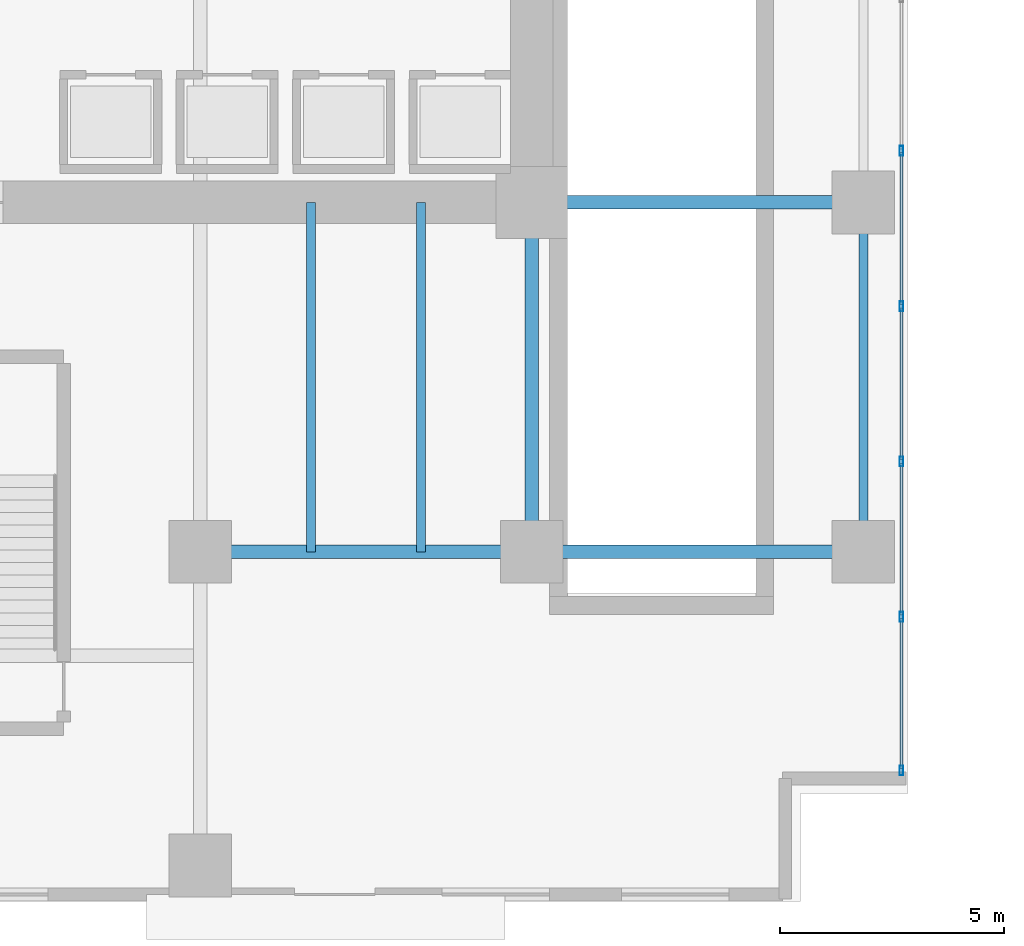
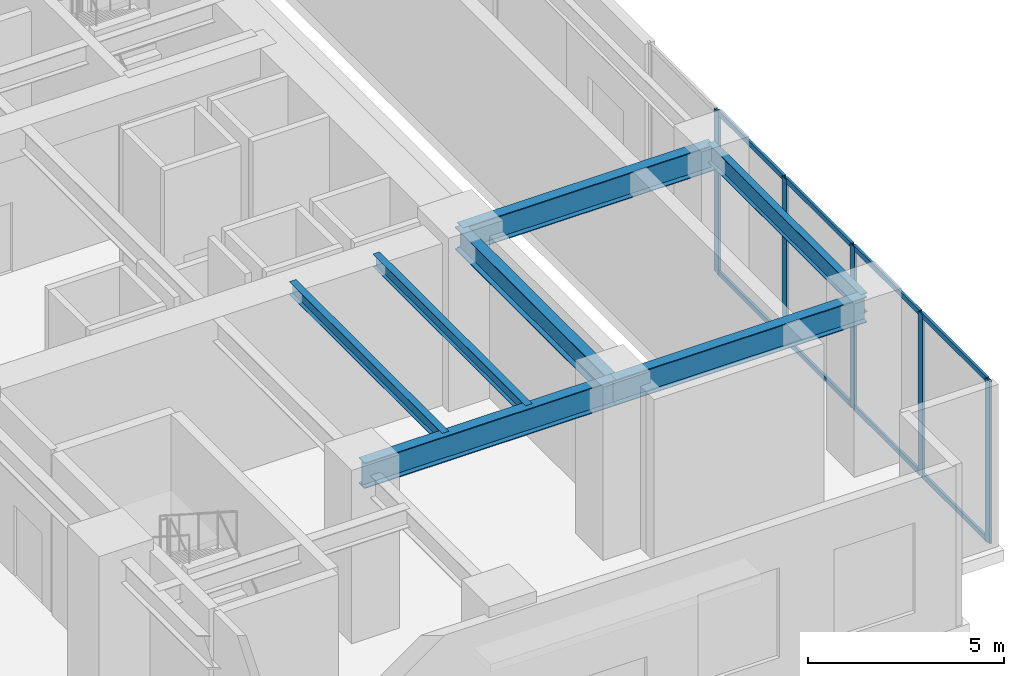
# One storey, part 14 of 28: 13 members, 7 beams, 1 element without a shape of its own.
"""IFC4 building model written with IfcOpenShell, lengths in metres."""

import ifcopenshell
import ifcopenshell.guid

model = None  # the IFC model being written
_history = None  # IfcOwnerHistory: only IFC2X3 demands one
_inside = {}  # id of a spatial element -> (the spatial element, [elements in it])
_under = {}  # id of a project, library or spatial element -> (it, [spatial elements below it])
_declared = {}  # id of a project -> (the project, [libraries it declares])
_typed = {}  # id of a type object -> (the type object, [elements of that type])
_made_of = {}  # id of a material, layer set ... -> (it, [elements and type objects made of it])


def new_model(schema):
    """Start an empty IFC model of exactly this schema.

    Asked for "IFC4X3", IfcOpenShell would pick the latest addendum, in which some entities
    have other attributes; the version numbers below select the first issue.
    IFC2X3 requires an IfcOwnerHistory on every rooted entity: one is made here for all.
    """
    global model, _history
    if schema == "IFC4X3":
        model = ifcopenshell.file(schema_version=(4, 3, 0, 0))
    else:
        model = ifcopenshell.file(schema=schema)
    _inside.clear()
    _under.clear()
    _declared.clear()
    _typed.clear()
    _made_of.clear()
    _history = None
    if model.schema == "IFC2X3":
        org = make("IfcOrganization", Name="unknown")
        user = make(
            "IfcPersonAndOrganization",
            ThePerson=make("IfcPerson", FamilyName="unknown"),
            TheOrganization=org,
        )
        app = make(
            "IfcApplication",
            ApplicationDeveloper=org,
            Version="unknown",
            ApplicationFullName="unknown",
            ApplicationIdentifier="unknown",
        )
        _history = make(
            "IfcOwnerHistory",
            OwningUser=user,
            OwningApplication=app,
            ChangeAction="ADDED",
            CreationDate=0,
        )
    return model


def make(cls, **values):
    """One entity of the class cls with the attributes given. An attribute that is None is left unset."""
    return model.create_entity(
        cls, **{name: value for name, value in values.items() if value is not None}
    )


def rooted(cls, **values):
    """An entity with a GlobalId (a new one), such as an element, a storey or a relation."""
    return make(cls, GlobalId=ifcopenshell.guid.new(), OwnerHistory=_history, **values)


def si_unit(unit_type, name, prefix=None):
    """IfcSIUnit, for example si_unit("LENGTHUNIT", "METRE", prefix="MILLI")."""
    return make("IfcSIUnit", UnitType=unit_type, Prefix=prefix, Name=name)


def assignment(units):
    """IfcUnitAssignment: the units of a project."""
    return None if units is None else make("IfcUnitAssignment", Units=units)


def point(xyz):
    """IfcCartesianPoint."""
    return None if xyz is None else make("IfcCartesianPoint", Coordinates=xyz)


def direction(xyz):
    """IfcDirection."""
    return None if xyz is None else make("IfcDirection", DirectionRatios=xyz)


def frame(location, z_axis=None, x_axis=None):
    """IfcAxis2Placement3D, a coordinate frame: its origin and axes. An axis left out is left unset."""
    return make(
        "IfcAxis2Placement3D",
        Location=point(location),
        Axis=direction(z_axis),
        RefDirection=direction(x_axis),
    )


def frame_2d(location, x_axis=None):
    """IfcAxis2Placement2D, a coordinate frame in the plane: its origin and x axis."""
    return make(
        "IfcAxis2Placement2D", Location=point(location), RefDirection=direction(x_axis)
    )


def origin():
    """The frame at (0, 0, 0) with its axes left unset."""
    return frame((0.0, 0.0, 0.0))


def origin_2d():
    """The frame at (0, 0) in the plane with its x axis left unset."""
    return frame_2d((0.0, 0.0))


def place(relative_to, where):
    """IfcLocalPlacement: puts the frame where relative to a parent placement (None: the world)."""
    return make(
        "IfcLocalPlacement", PlacementRelTo=relative_to, RelativePlacement=where
    )


def context(
    kind, dimensions, precision=None, world=None, true_north=None, identifier=None
):
    """IfcGeometricRepresentationContext, for example the 3D "Model" context."""
    return make(
        "IfcGeometricRepresentationContext",
        ContextIdentifier=identifier,
        ContextType=kind,
        CoordinateSpaceDimension=dimensions,
        Precision=precision,
        WorldCoordinateSystem=world,
        TrueNorth=true_north,
    )


def subcontext(parent, identifier, kind, view, scale=None):
    """IfcGeometricRepresentationSubContext, for example "Body" below "Model"."""
    return make(
        "IfcGeometricRepresentationSubContext",
        ContextIdentifier=identifier,
        ContextType=kind,
        ParentContext=parent,
        TargetScale=scale,
        TargetView=view,
    )


def project(units=None, contexts=None):
    """IfcProject with its units and contexts."""
    return rooted(
        "IfcProject",
        Name="project",
        RepresentationContexts=contexts,
        UnitsInContext=assignment(units),
    )


def spatial(cls, under=None, at=None, **own):
    """A site, building, storey or space (cls), placed at a placement, below another one or the project."""
    s = rooted(cls, ObjectPlacement=at, **own)
    if under is not None:
        _under.setdefault(under.id(), (under, []))[1].append(s)
    return s


def profile(cls, at=None, kind="AREA", **sizes):
    """A parametric profile (cls). Its sizes go by their IFC names, for example OverallWidth=200.0."""
    return make(cls, ProfileType=kind, Position=at, **sizes)


def hollow_rectangle(**sizes):
    """IfcRectangleHollowProfileDef."""
    return profile("IfcRectangleHollowProfileDef", **sizes)


def i_section(**sizes):
    """IfcIShapeProfileDef."""
    return profile("IfcIShapeProfileDef", **sizes)


def extrude(swept, where, along, depth):
    """IfcExtrudedAreaSolid: the profile swept, set in the frame where, extruded along a direction by depth."""
    return make(
        "IfcExtrudedAreaSolid",
        SweptArea=swept,
        Position=where,
        ExtrudedDirection=direction(along),
        Depth=depth,
    )


def shape(context_of_items, identifier, shape_type, items):
    """IfcShapeRepresentation: the items that make up one representation, for example the "Body"."""
    return make(
        "IfcShapeRepresentation",
        ContextOfItems=context_of_items,
        RepresentationIdentifier=identifier,
        RepresentationType=shape_type,
        Items=items,
    )


def source(mapping_origin, context_of_items, identifier, shape_type, items):
    """IfcRepresentationMap: a shape defined once, which mapped items show again and again."""
    return make(
        "IfcRepresentationMap",
        MappingOrigin=mapping_origin,
        MappedRepresentation=shape(context_of_items, identifier, shape_type, items),
    )


def transform(
    local_origin,
    x_axis=None,
    y_axis=None,
    z_axis=None,
    scale=None,
    scale2=None,
    scale3=None,
    uniform=True,
):
    """IfcCartesianTransformationOperator3D, or its non-uniform kind. x_axis, y_axis, z_axis: its Axis1, 2, 3."""
    if uniform:
        return make(
            "IfcCartesianTransformationOperator3D",
            Axis1=direction(x_axis),
            Axis2=direction(y_axis),
            LocalOrigin=point(local_origin),
            Scale=scale,
            Axis3=direction(z_axis),
        )
    return make(
        "IfcCartesianTransformationOperator3DnonUniform",
        Axis1=direction(x_axis),
        Axis2=direction(y_axis),
        LocalOrigin=point(local_origin),
        Scale=scale,
        Axis3=direction(z_axis),
        Scale2=scale2,
        Scale3=scale3,
    )


def mapped(mapping_source, mapping_target):
    """IfcMappedItem: shows the shape of a source again, moved by a transform."""
    return make(
        "IfcMappedItem", MappingSource=mapping_source, MappingTarget=mapping_target
    )


def material(Name=None, Category=None):
    """IfcMaterial."""
    return make("IfcMaterial", Name=Name, Category=Category)


def layer(
    of_material, thickness, ventilated=None, Name=None, Category=None, Priority=None
):
    """IfcMaterialLayer: one layer of a wall or slab, of a material (None: an air gap)."""
    return make(
        "IfcMaterialLayer",
        Material=of_material,
        LayerThickness=thickness,
        IsVentilated=ventilated,
        Name=Name,
        Category=Category,
        Priority=Priority,
    )


def layer_set(layers, Name=None):
    """IfcMaterialLayerSet."""
    return make("IfcMaterialLayerSet", MaterialLayers=layers, LayerSetName=Name)


def material_profile(
    of_material, cross_section, Name=None, Category=None, Priority=None
):
    """IfcMaterialProfile: a cross section and its material."""
    return make(
        "IfcMaterialProfile",
        Name=Name,
        Material=of_material,
        Profile=cross_section,
        Priority=Priority,
        Category=Category,
    )


def profile_set(profiles, Name=None, composite=None):
    """IfcMaterialProfileSet."""
    return make(
        "IfcMaterialProfileSet",
        Name=Name,
        MaterialProfiles=profiles,
        CompositeProfile=composite,
    )


def made_of(thing, what):
    """Note that an element or type object is made of a material, layer set ...; save() writes the relation."""
    if what is not None:
        _made_of.setdefault(what.id(), (what, []))[1].append(thing)
    return thing


def type_object(cls, material=None, **own):
    """A type object (cls), such as IfcWallType, which elements share."""
    return made_of(rooted(cls, **own), material)


def type_shapes(of_type, sources):
    """Give a type object the sources (RepresentationMaps) that its elements show as mapped items."""
    of_type.RepresentationMaps = sources


def element(
    cls,
    number,
    at=None,
    inside=None,
    cuts=None,
    type_object=None,
    material=None,
    context=None,
    identifier="Body",
    shape_type=None,
    held_by="IfcProductDefinitionShape",
    body=None,
    shapes=None,
    **own,
):
    """One element of the class cls, such as IfcWall. Its Tag is "e" and its number.

    at: its placement. inside: the storey or other place that contains it. cuts: it is an
    opening in that element (IfcRelVoidsElement). A single representation is given by context,
    identifier, shape_type and body (its items); several are given by shapes. held_by: the class
    of the entity that holds the representations. save() writes the other relations.
    """
    e = rooted(cls, Tag="e%d" % number, ObjectPlacement=at, **own)
    if body is not None:
        shapes = [shape(context, identifier, shape_type, body)]
    if shapes is not None:
        e.Representation = make(held_by, Representations=shapes)
    if inside is not None:
        _inside.setdefault(inside.id(), (inside, []))[1].append(e)
    if cuts is not None:
        rooted(
            "IfcRelVoidsElement", RelatingBuildingElement=cuts, RelatedOpeningElement=e
        )
    if type_object is not None:
        _typed.setdefault(type_object.id(), (type_object, []))[1].append(e)
    return made_of(e, material)


def aggregate(whole, parts):
    """IfcRelAggregates: a whole, such as a stair, and the parts it consists of."""
    return rooted("IfcRelAggregates", RelatingObject=whole, RelatedObjects=parts)


def save(model, path):
    """Write the relations noted so far, then the file.

    IfcRelAggregates (storeys below a building ...), IfcRelContainedInSpatialStructure (elements
    in a storey), IfcRelDefinesByType, IfcRelAssociatesMaterial and IfcRelDeclares: one each for
    every whole, place, type object, material and project.
    """
    for whole, parts in _under.values():
        aggregate(whole, parts)
    for where, things in _inside.values():
        rooted(
            "IfcRelContainedInSpatialStructure",
            RelatedElements=things,
            RelatingStructure=where,
        )
    for kind, things in _typed.values():
        rooted("IfcRelDefinesByType", RelatedObjects=things, RelatingType=kind)
    for what, things in _made_of.values():
        rooted("IfcRelAssociatesMaterial", RelatedObjects=things, RelatingMaterial=what)
    for by, libraries in _declared.values():
        rooted("IfcRelDeclares", RelatingContext=by, RelatedDefinitions=libraries)
    model.write(path)


model = new_model("IFC4")

# Units and contexts
model_context = context("Model", 3, precision=1e-05, world=origin(), true_north=direction((0.0, 1.0)))
body_context = subcontext(model_context, "Body", "Model", "MODEL_VIEW")
ifc_project = project(units=[si_unit("LENGTHUNIT", "METRE"), si_unit("AREAUNIT", "SQUARE_METRE"), si_unit("VOLUMEUNIT", "CUBIC_METRE"), si_unit("PLANEANGLEUNIT", "RADIAN"), si_unit("MASSUNIT", "GRAM", prefix="KILO")], contexts=[model_context])

# Site, building, storey
site_placement = place(None, origin())
site = spatial("IfcSite", under=ifc_project, at=site_placement, CompositionType="ELEMENT")
building_placement = place(site_placement, origin())
building = spatial("IfcBuilding", under=site, at=building_placement, Name="Haelvirn Gate Laboratories", CompositionType="ELEMENT")
storey_placement = place(building_placement, origin())
storey = spatial("IfcBuildingStorey", under=building, at=storey_placement, Name="L01", CompositionType="ELEMENT", Elevation=0.0)

# Beams
ifc_material_1 = material(Name="Steel SM420", Category="steel")
ifc_material_profile_1 = material_profile(ifc_material_1, i_section(OverallWidth=0.300048828125, OverallDepth=0.800048828125, WebThickness=0.013916015625, FlangeThickness=0.02587890625, at=origin_2d()), Name="H-800x300x14x26")
ifc_profile_set_1 = profile_set([ifc_material_profile_1], Name="Steel SM420")
beam_type_1 = type_object("IfcBeamType", Name="BM-G-800", PredefinedType="BEAM", material=ifc_profile_set_1)
shared_shape_1 = source(origin(), body_context, "Body", "SweptSolid", [
    extrude(i_section(OverallWidth=0.300048828125, OverallDepth=0.800048828125, WebThickness=0.013916015625, FlangeThickness=0.02587890625, at=origin_2d()), origin(), (0.0, 0.0, 1.0), 7.400146484375),
])
for number, where, z_axis, x_axis, name in (
    (1, (67.39990234375, 7.0, 4.64990234375), (1.0, 0.0, 0.0), (0.0, 1.0, 0.0), "L01 Primary Girder Y7.0 (67.4-74.8)"),
    (2, (67.39990234375, 14.800048828125, 4.64990234375), (1.0, 0.0, 0.0), (0.0, 1.0, 0.0), "L01 Primary Girder Y14.8 (67.4-74.8)"),
):
    element("IfcBeam", number, at=place(storey_placement, frame(where, z_axis=z_axis, x_axis=x_axis)), inside=storey, type_object=beam_type_1, Name=name, PredefinedType="BEAM", context=body_context, shape_type="MappedRepresentation", body=[
        mapped(shared_shape_1, transform((0.0, 0.0, 0.0), scale=1.0)),
    ])
shared_shape_2 = source(origin(), body_context, "Body", "SweptSolid", [
    extrude(i_section(OverallWidth=0.300048828125, OverallDepth=0.800048828125, WebThickness=0.013916015625, FlangeThickness=0.02587890625, at=origin_2d()), origin(), (0.0, 0.0, 1.0), 7.39990234375),
])
type_shapes(beam_type_1, [shared_shape_1, shared_shape_2])
beam_1_placement = place(storey_placement, frame((60.0, 7.0, 4.64990234375), z_axis=(1.0, 0.0, 0.0), x_axis=(0.0, 1.0, 0.0)))
element("IfcBeam", 3, at=beam_1_placement, inside=storey, type_object=beam_type_1, Name="L01 Primary Girder Y7.0 (60.0-67.4)", PredefinedType="BEAM", context=body_context, shape_type="MappedRepresentation", body=[
    mapped(shared_shape_2, transform((0.0, 0.0, 0.0), scale=1.0)),
])
ifc_material_2 = material(Name="Steel SM355", Category="steel")
ifc_material_profile_2 = material_profile(ifc_material_2, i_section(OverallWidth=0.199951171875, OverallDepth=0.60009765625, WebThickness=0.010986328125, FlangeThickness=0.01708984375, at=origin_2d()), Name="H-600x200x11x17")
ifc_profile_set_2 = profile_set([ifc_material_profile_2], Name="Steel SM355")
beam_type_2 = type_object("IfcBeamType", Name="BM-SP-600", PredefinedType="SPANDREL", material=ifc_profile_set_2)
shared_shape_3 = source(origin(), body_context, "Body", "SweptSolid", [
    extrude(i_section(OverallWidth=0.199951171875, OverallDepth=0.60009765625, WebThickness=0.010986328125, FlangeThickness=0.01708984375, at=origin_2d()), origin(), (0.0, 0.0, 1.0), 7.800048828125),
])
type_shapes(beam_type_2, [shared_shape_3])
beam_2_placement = place(storey_placement, frame((74.800048828125, 7.0, 4.75), z_axis=(0.0, 1.0, 0.0), x_axis=(-1.0, 0.0, 0.0)))
element("IfcBeam", 4, at=beam_2_placement, inside=storey, type_object=beam_type_2, Name="L01 Perimeter Spandrel X74.8 (7.0-14.8)", PredefinedType="SPANDREL", context=body_context, shape_type="MappedRepresentation", body=[
    mapped(shared_shape_3, transform((0.0, 0.0, 0.0), scale=1.0)),
])
ifc_material_profile_3 = material_profile(ifc_material_2, i_section(OverallWidth=0.199951171875, OverallDepth=0.39990234375, WebThickness=0.008056640625, FlangeThickness=0.012939453125, at=origin_2d()), Name="H-400x200x8x13")
ifc_profile_set_3 = profile_set([ifc_material_profile_3], Name="Steel SM355")
beam_type_3 = type_object("IfcBeamType", Name="BM-J-400", PredefinedType="JOIST", material=ifc_profile_set_3)
shared_shape_4 = source(origin(), body_context, "Body", "SweptSolid", [
    extrude(i_section(OverallWidth=0.199951171875, OverallDepth=0.39990234375, WebThickness=0.008056640625, FlangeThickness=0.012939453125, at=origin_2d()), origin(), (0.0, 0.0, 1.0), 7.800048828125),
])
type_shapes(beam_type_3, [shared_shape_4])
for number, where, z_axis, x_axis, name in (
    (5, (62.469970703125, 7.0, 4.85009765625), (0.0, 1.0, 0.0), (-1.0, 0.0, 0.0), "L01 Composite Lab Joist South X62.47"),
    (6, (64.929931640625, 7.0, 4.85009765625), (0.0, 1.0, 0.0), (-1.0, 0.0, 0.0), "L01 Composite Lab Joist South X64.93"),
):
    element("IfcBeam", number, at=place(storey_placement, frame(where, z_axis=z_axis, x_axis=x_axis)), inside=storey, type_object=beam_type_3, Name=name, PredefinedType="JOIST", context=body_context, shape_type="MappedRepresentation", body=[
        mapped(shared_shape_4, transform((0.0, 0.0, 0.0), scale=1.0)),
    ])
ifc_material_profile_4 = material_profile(ifc_material_2, i_section(OverallWidth=0.300048828125, OverallDepth=0.699951171875, WebThickness=0.012939453125, FlangeThickness=0.02392578125, at=origin_2d()), Name="H-700x300x13x24")
ifc_profile_set_4 = profile_set([ifc_material_profile_4], Name="Steel SM355")
beam_type_4 = type_object("IfcBeamType", Name="BM-G-700", PredefinedType="BEAM", material=ifc_profile_set_4)
shared_shape_5 = source(origin(), body_context, "Body", "SweptSolid", [
    extrude(i_section(OverallWidth=0.300048828125, OverallDepth=0.699951171875, WebThickness=0.012939453125, FlangeThickness=0.02392578125, at=origin_2d()), origin(), (0.0, 0.0, 1.0), 7.800048828125),
])
type_shapes(beam_type_4, [shared_shape_5])
beam_3_placement = place(storey_placement, frame((67.39990234375, 7.0, 4.699951171875), z_axis=(0.0, 1.0, 0.0), x_axis=(-1.0, 0.0, 0.0)))
element("IfcBeam", 7, at=beam_3_placement, inside=storey, type_object=beam_type_4, Name="L01 Frame Girder X67.4 (7.0-14.8)", PredefinedType="BEAM", context=body_context, shape_type="MappedRepresentation", body=[
    mapped(shared_shape_5, transform((0.0, 0.0, 0.0), scale=1.0)),
])

# Curtain wall, members
ifc_material_3 = material(Name="Anodised bronze unitised aluminium & triple low-E glass", Category="aluminium")
ifc_layer = layer(ifc_material_3, 0.18798828125, Name="CW-SYS-1")
ifc_layer_set = layer_set([ifc_layer], Name="Anodised bronze unitised aluminium & triple low-E glass")
curtain_wall_type = type_object("IfcCurtainWallType", Name="CW-SYS-1", PredefinedType="NOTDEFINED", material=ifc_layer_set)
curtain_wall_placement = place(storey_placement, origin())
curtain_wall = element("IfcCurtainWall", 8, at=curtain_wall_placement, inside=storey, type_object=curtain_wall_type, Name="L01 Unitised Curtain Wall CW-L01-ES", PredefinedType="NOTDEFINED")
ifc_material_4 = material(Name="Extruded aluminium 6063-T6 (anodised bronze)", Category="aluminium")
ifc_material_profile_5 = material_profile(ifc_material_4, hollow_rectangle(XDim=0.080078125, YDim=0.219970703125, WallThickness=0.006103515625, at=origin_2d()), Name="CWM-220x80x6")
ifc_profile_set_5 = profile_set([ifc_material_profile_5], Name="Extruded aluminium 6063-T6 (anodised bronze)")
member_type_1 = type_object("IfcMemberType", Name="CWM-T220", PredefinedType="MULLION", material=ifc_profile_set_5)
shared_shape_6 = source(origin(), body_context, "Body", "SweptSolid", [
    extrude(hollow_rectangle(XDim=0.080078125, YDim=0.219970703125, WallThickness=0.006103515625, at=origin_2d()), origin(), (0.0, 0.0, 1.0), 5.050048828125),
])
type_shapes(member_type_1, [shared_shape_6])
member_1_placement = place(storey_placement, frame((75.64990234375, 2.1201171875, 0.0), z_axis=(0.0, 0.0, 1.0), x_axis=(-1.0, 0.0, 0.0)))
member_1 = element("IfcMember", 9, at=member_1_placement, type_object=member_type_1, Name="CW1 mullion 1", PredefinedType="MULLION", context=body_context, shape_type="MappedRepresentation", body=[
    mapped(shared_shape_6, transform((0.0, 0.0, 0.0), scale=1.0)),
])
member_2_placement = place(storey_placement, frame((75.64990234375, 5.548095703125, 0.0), z_axis=(0.0, 0.0, 1.0), x_axis=(-1.0, 0.0, 0.0)))
member_2 = element("IfcMember", 10, at=member_2_placement, type_object=member_type_1, Name="CW1 mullion 2", PredefinedType="MULLION", context=body_context, shape_type="MappedRepresentation", body=[
    mapped(shared_shape_6, transform((0.0, 0.0, 0.0), scale=1.0)),
])
member_3_placement = place(storey_placement, frame((75.64990234375, 9.01611328125, 0.0), z_axis=(0.0, 0.0, 1.0), x_axis=(-1.0, 0.0, 0.0)))
member_3 = element("IfcMember", 11, at=member_3_placement, type_object=member_type_1, Name="CW1 mullion 3", PredefinedType="MULLION", context=body_context, shape_type="MappedRepresentation", body=[
    mapped(shared_shape_6, transform((0.0, 0.0, 0.0), scale=1.0)),
])
member_4_placement = place(storey_placement, frame((75.64990234375, 12.48388671875, 0.0), z_axis=(0.0, 0.0, 1.0), x_axis=(-1.0, 0.0, 0.0)))
member_4 = element("IfcMember", 12, at=member_4_placement, type_object=member_type_1, Name="CW1 mullion 4", PredefinedType="MULLION", context=body_context, shape_type="MappedRepresentation", body=[
    mapped(shared_shape_6, transform((0.0, 0.0, 0.0), scale=1.0)),
])
member_5_placement = place(storey_placement, frame((75.64990234375, 15.951904296875, 0.0), z_axis=(0.0, 0.0, 1.0), x_axis=(-1.0, 0.0, 0.0)))
member_5 = element("IfcMember", 13, at=member_5_placement, type_object=member_type_1, Name="CW1 mullion 5", PredefinedType="MULLION", context=body_context, shape_type="MappedRepresentation", body=[
    mapped(shared_shape_6, transform((0.0, 0.0, 0.0), scale=1.0)),
])
ifc_material_profile_6 = material_profile(ifc_material_4, hollow_rectangle(XDim=0.070068359375, YDim=0.159912109375, WallThickness=0.0048828125, at=origin_2d()), Name="CWT-160x70x5")
ifc_profile_set_6 = profile_set([ifc_material_profile_6], Name="Extruded aluminium 6063-T6 (anodised bronze)")
member_type_2 = type_object("IfcMemberType", Name="CWT-T160", PredefinedType="USERDEFINED", material=ifc_profile_set_6)
shared_shape_7 = source(origin(), body_context, "Body", "SweptSolid", [
    extrude(hollow_rectangle(XDim=0.070068359375, YDim=0.159912109375, WallThickness=0.0048828125, at=origin_2d()), origin(), (0.0, 0.0, 1.0), 3.34814453125),
])
member_6_placement = place(storey_placement, frame((75.64990234375, 2.159912109375, 0.034912109375), z_axis=(0.0, 1.0, 0.0), x_axis=(-1.0, 0.0, 0.0)))
member_6 = element("IfcMember", 14, at=member_6_placement, type_object=member_type_2, Name="CW1 transom 1.1", ObjectType="TRANSOM", PredefinedType="USERDEFINED", context=body_context, shape_type="MappedRepresentation", body=[
    mapped(shared_shape_7, transform((0.0, 0.0, 0.0), scale=1.0)),
])
member_7_placement = place(storey_placement, frame((75.64990234375, 2.159912109375, 5.014892578125), z_axis=(0.0, 1.0, 0.0), x_axis=(-1.0, 0.0, 0.0)))
member_7 = element("IfcMember", 15, at=member_7_placement, type_object=member_type_2, Name="CW1 transom 1.2", ObjectType="TRANSOM", PredefinedType="USERDEFINED", context=body_context, shape_type="MappedRepresentation", body=[
    mapped(shared_shape_7, transform((0.0, 0.0, 0.0), scale=1.0)),
])
shared_shape_8 = source(origin(), body_context, "Body", "SweptSolid", [
    extrude(hollow_rectangle(XDim=0.070068359375, YDim=0.159912109375, WallThickness=0.0048828125, at=origin_2d()), origin(), (0.0, 0.0, 1.0), 3.38818359375),
])
type_shapes(member_type_2, [shared_shape_7, shared_shape_8])
member_8_placement = place(storey_placement, frame((75.64990234375, 5.587890625, 0.034912109375), z_axis=(0.0, 1.0, 0.0), x_axis=(-1.0, 0.0, 0.0)))
member_8 = element("IfcMember", 16, at=member_8_placement, type_object=member_type_2, Name="CW1 transom 2.1", ObjectType="TRANSOM", PredefinedType="USERDEFINED", context=body_context, shape_type="MappedRepresentation", body=[
    mapped(shared_shape_8, transform((0.0, 0.0, 0.0), scale=1.0)),
])
member_9_placement = place(storey_placement, frame((75.64990234375, 5.587890625, 5.014892578125), z_axis=(0.0, 1.0, 0.0), x_axis=(-1.0, 0.0, 0.0)))
member_9 = element("IfcMember", 17, at=member_9_placement, type_object=member_type_2, Name="CW1 transom 2.2", ObjectType="TRANSOM", PredefinedType="USERDEFINED", context=body_context, shape_type="MappedRepresentation", body=[
    mapped(shared_shape_8, transform((0.0, 0.0, 0.0), scale=1.0)),
])
member_10_placement = place(storey_placement, frame((75.64990234375, 9.055908203125, 0.034912109375), z_axis=(0.0, 1.0, 0.0), x_axis=(-1.0, 0.0, 0.0)))
member_10 = element("IfcMember", 18, at=member_10_placement, type_object=member_type_2, Name="CW1 transom 3.1", ObjectType="TRANSOM", PredefinedType="USERDEFINED", context=body_context, shape_type="MappedRepresentation", body=[
    mapped(shared_shape_8, transform((0.0, 0.0, 0.0), scale=1.0)),
])
member_11_placement = place(storey_placement, frame((75.64990234375, 9.055908203125, 5.014892578125), z_axis=(0.0, 1.0, 0.0), x_axis=(-1.0, 0.0, 0.0)))
member_11 = element("IfcMember", 19, at=member_11_placement, type_object=member_type_2, Name="CW1 transom 3.2", ObjectType="TRANSOM", PredefinedType="USERDEFINED", context=body_context, shape_type="MappedRepresentation", body=[
    mapped(shared_shape_8, transform((0.0, 0.0, 0.0), scale=1.0)),
])
member_12_placement = place(storey_placement, frame((75.64990234375, 12.52392578125, 0.034912109375), z_axis=(0.0, 1.0, 0.0), x_axis=(-1.0, 0.0, 0.0)))
member_12 = element("IfcMember", 20, at=member_12_placement, type_object=member_type_2, Name="CW1 transom 4.1", ObjectType="TRANSOM", PredefinedType="USERDEFINED", context=body_context, shape_type="MappedRepresentation", body=[
    mapped(shared_shape_8, transform((0.0, 0.0, 0.0), scale=1.0)),
])
member_13_placement = place(storey_placement, frame((75.64990234375, 12.52392578125, 5.014892578125), z_axis=(0.0, 1.0, 0.0), x_axis=(-1.0, 0.0, 0.0)))
member_13 = element("IfcMember", 21, at=member_13_placement, type_object=member_type_2, Name="CW1 transom 4.2", ObjectType="TRANSOM", PredefinedType="USERDEFINED", context=body_context, shape_type="MappedRepresentation", body=[
    mapped(shared_shape_8, transform((0.0, 0.0, 0.0), scale=1.0)),
])
aggregate(curtain_wall, [member_1, member_2, member_3, member_4, member_5, member_6, member_7, member_8, member_9, member_10, member_11, member_12, member_13])

save(model, "model.ifc")
